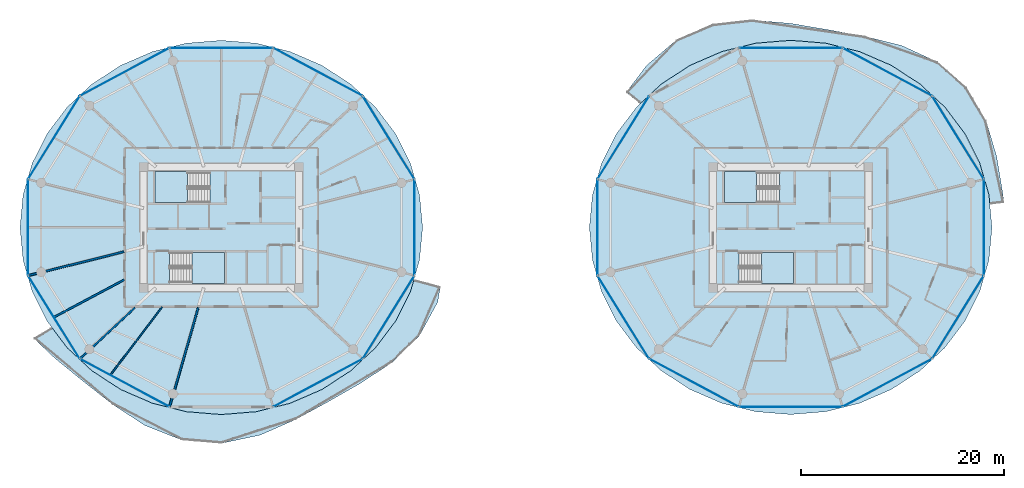
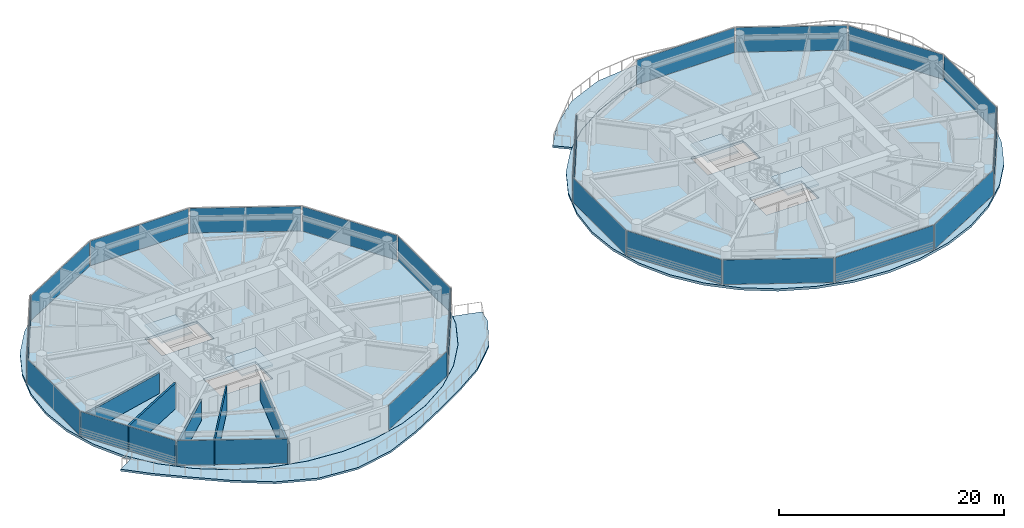
# One storey, part 14 of 26: 22 plates, 8 slabs, 5 walls, 26 elements without a shape of their own.
"""IFC4 building model written with IfcOpenShell, lengths in metres."""

from ifc_helpers import new_model, si_unit, direction, frame, frame_2d, origin, origin_2d, place, context, subcontext, project, spatial, polyline, rectangle, outline, extrude, source, transform, mapped, material, layer, layer_set, type_object, type_shapes, element, aggregate, save


model = new_model("IFC4")

# Units and contexts
model_context = context("Model", 3, precision=1e-05, world=origin(), true_north=direction((0.0, 1.0)))
body_context = subcontext(model_context, "Body", "Model", "MODEL_VIEW")
ifc_project = project(units=[si_unit("LENGTHUNIT", "METRE"), si_unit("AREAUNIT", "SQUARE_METRE"), si_unit("VOLUMEUNIT", "CUBIC_METRE"), si_unit("PLANEANGLEUNIT", "RADIAN"), si_unit("MASSUNIT", "GRAM", prefix="KILO")], contexts=[model_context])

# Site, building, storey
site_placement = place(None, origin())
site = spatial("IfcSite", under=ifc_project, at=site_placement, CompositionType="ELEMENT")
building_placement = place(site_placement, origin())
building = spatial("IfcBuilding", under=site, at=building_placement, Name="Norrkilde Senior Care Towers", CompositionType="ELEMENT")
storey_placement = place(building_placement, frame((0.0, 0.0, 49.050048828125)))
storey = spatial("IfcBuildingStorey", under=building, at=storey_placement, Name="L14", CompositionType="ELEMENT", Elevation=49.050048828125)

# Slabs
ifc_material_1 = material(Name="Concrete C50/60", Category="concrete")
ifc_layer_1 = layer(ifc_material_1, 0.215087890625)
ifc_layer_set_1 = layer_set([ifc_layer_1], Name="Concrete C50/60")
slab_type_1 = type_object("IfcSlabType", Name="Sinusoidal Balcony Ribbon Slab 215", PredefinedType="FLOOR", material=ifc_layer_set_1)
slab_1_placement = place(storey_placement, frame((0.0, 0.0, -0.215087890625)))
element("IfcSlab", 1, at=slab_1_placement, inside=storey, type_object=slab_type_1, Name="L14 Drum W Swirling Senior Balcony 1", PredefinedType="FLOOR", context=body_context, shape_type="SweptSolid", body=[
    extrude(outline(polyline([(-8.51513671875, -10.65234375), (-11.215087890625, -13.28759765625), (-14.308837890625, -15.331298828125), (-17.459716796875, -17.128173828125), (-20.68603515625, -18.892822265625), (-24.18359375, -20.42822265625), (-28.0, -21.23291015625), (-31.89453125, -20.90478515625), (-35.512939453125, -19.48095703125), (-38.689208984375, -17.406005859375), (-41.55859375, -15.161376953125), (-44.34521484375, -12.890625), (-46.4501953125, -10.9033203125), (-44.6650390625, -9.848388671875), (-43.171630859375, -11.83056640625), (-40.73046875, -14.09912109375), (-37.902587890625, -15.939208984375), (-34.773681640625, -17.294921875), (-31.439208984375, -18.12548828125), (-28.0, -18.405029296875), (-24.560791015625, -18.12548828125), (-21.226318359375, -17.294921875), (-18.097412109375, -15.939208984375), (-15.26953125, -14.09912109375), (-12.828369140625, -11.83056640625), (-10.848388671875, -9.202392578125), (-9.389404296875, -6.294921875), (-9.0556640625, -5.137451171875), (-6.45654296875, -5.84228515625), (-6.71533203125, -7.34228515625), (-8.51513671875, -10.65234375)])), origin(), (0.0, 0.0, 1.0), 0.215087890625),
])
slab_2_placement = place(storey_placement, frame((0.0, 0.0, -0.215087890625)))
element("IfcSlab", 2, at=slab_2_placement, inside=storey, type_object=slab_type_1, Name="L14 Drum E Swirling Senior Balcony 1", PredefinedType="FLOOR", context=body_context, shape_type="SweptSolid", body=[
    extrude(outline(polyline([(16.7607421875, 18.43115234375), (20.323974609375, 19.963134765625), (24.187744140625, 20.402587890625), (28.0, 20.069580078125), (31.65673828125, 19.45458984375), (35.2802734375, 18.79345703125), (38.94287109375, 17.878662109375), (42.428955078125, 16.277587890625), (45.2978515625, 13.750732421875), (47.219970703125, 10.48779296875), (48.268310546875, 6.9443359375), (48.84814453125, 3.451171875), (48.98046875, 2.436279296875), (47.5908203125, 2.27490234375), (47.504150390625, 3.196044921875), (46.610595703125, 6.294921875), (45.151611328125, 9.202392578125), (43.171630859375, 11.83056640625), (40.73046875, 14.09912109375), (37.902587890625, 15.939208984375), (34.773681640625, 17.294921875), (31.439208984375, 18.12548828125), (28.0, 18.405029296875), (24.560791015625, 18.12548828125), (21.226318359375, 17.294921875), (18.097412109375, 15.939208984375), (15.26953125, 14.09912109375), (13.195068359375, 12.17138671875), (11.829345703125, 13.294189453125), (13.834716796875, 15.939453125), (16.7607421875, 18.43115234375)])), origin(), (0.0, 0.0, 1.0), 0.215087890625),
])

# Stair, slab
ifc_material_2 = material(Name="Concrete C45/55", Category="concrete")
stair_type = type_object("IfcStairType", Name="Core Protected Dogleg Stair Typical 3050", PredefinedType="HALF_TURN_STAIR", material=ifc_material_2)
stair_1_placement = place(storey_placement, origin())
stair_1 = element("IfcStair", 3, at=stair_1_placement, inside=storey, type_object=stair_type, Name="L14 Protected Core Stair W1", PredefinedType="HALF_TURN_STAIR")
ifc_layer_2 = layer(ifc_material_2, 0.199951171875)
ifc_layer_set_2 = layer_set([ifc_layer_2], Name="Concrete C45/55")
slab_type_2 = type_object("IfcSlabType", Name="Stair Landing Slab 200", PredefinedType="LANDING", material=ifc_layer_set_2)
slab_3_placement = place(storey_placement, frame((0.0, 0.0, 1.324951171875)))
slab_3 = element("IfcSlab", 4, at=slab_3_placement, type_object=slab_type_2, Name="ST-W1 landing 1", PredefinedType="LANDING", context=body_context, shape_type="SweptSolid", body=[
    extrude(outline(polyline([(-31.340087890625, 5.52490234375), (-34.5, 5.52490234375), (-34.5, 2.449951171875), (-31.340087890625, 2.449951171875), (-31.340087890625, 5.52490234375)])), origin(), (0.0, 0.0, 1.0), 0.199951171875),
])
aggregate(stair_1, [slab_3])

stair_2_placement = place(storey_placement, origin())
stair_2 = element("IfcStair", 5, at=stair_2_placement, inside=storey, type_object=stair_type, Name="L14 Protected Core Stair W2", PredefinedType="HALF_TURN_STAIR")
slab_4_placement = place(storey_placement, frame((0.0, 0.0, 1.324951171875)))
slab_4 = element("IfcSlab", 6, at=slab_4_placement, type_object=slab_type_2, Name="ST-W2 landing 1", PredefinedType="LANDING", context=body_context, shape_type="SweptSolid", body=[
    extrude(outline(polyline([(-30.860107421875, -5.52490234375), (-27.699951171875, -5.52490234375), (-27.699951171875, -2.449951171875), (-30.860107421875, -2.449951171875), (-30.860107421875, -5.52490234375)])), origin(), (0.0, 0.0, 1.0), 0.199951171875),
])
aggregate(stair_2, [slab_4])

stair_3_placement = place(storey_placement, origin())
stair_3 = element("IfcStair", 7, at=stair_3_placement, inside=storey, type_object=stair_type, Name="L14 Protected Core Stair E1", PredefinedType="HALF_TURN_STAIR")
slab_5_placement = place(storey_placement, frame((0.0, 0.0, 1.324951171875)))
slab_5 = element("IfcSlab", 8, at=slab_5_placement, type_object=slab_type_2, Name="ST-E1 landing 1", PredefinedType="LANDING", context=body_context, shape_type="SweptSolid", body=[
    extrude(outline(polyline([(24.659912109375, 5.52490234375), (21.5, 5.52490234375), (21.5, 2.449951171875), (24.659912109375, 2.449951171875), (24.659912109375, 5.52490234375)])), origin(), (0.0, 0.0, 1.0), 0.199951171875),
])
aggregate(stair_3, [slab_5])

stair_4_placement = place(storey_placement, origin())
stair_4 = element("IfcStair", 9, at=stair_4_placement, inside=storey, type_object=stair_type, Name="L14 Protected Core Stair E2", PredefinedType="HALF_TURN_STAIR")
slab_6_placement = place(storey_placement, frame((0.0, 0.0, 1.324951171875)))
slab_6 = element("IfcSlab", 10, at=slab_6_placement, type_object=slab_type_2, Name="ST-E2 landing 1", PredefinedType="LANDING", context=body_context, shape_type="SweptSolid", body=[
    extrude(outline(polyline([(25.139892578125, -5.52490234375), (28.300048828125, -5.52490234375), (28.300048828125, -2.449951171875), (25.139892578125, -2.449951171875), (25.139892578125, -5.52490234375)])), origin(), (0.0, 0.0, 1.0), 0.199951171875),
])
aggregate(stair_4, [slab_6])

# Slabs
ifc_layer_3 = layer(ifc_material_1, 0.260009765625)
ifc_layer_set_3 = layer_set([ifc_layer_3], Name="Concrete C50/60")
slab_type_3 = type_object("IfcSlabType", Name="Tower Care Floor Slab 260", PredefinedType="FLOOR", material=ifc_layer_set_3)
slab_7_placement = place(storey_placement, frame((0.0, 0.0, -0.260009765625)))
element("IfcSlab", 11, at=slab_7_placement, inside=storey, type_object=slab_type_3, Name="L14 Drum W Structural Floor Slab", PredefinedType="FLOOR", context=body_context, shape_type="SweptSolid", body=[
    extrude(outline(polyline([(-9.39404296875, -6.293212890625), (-10.852783203125, -9.199951171875), (-12.832275390625, -11.827392578125), (-15.272705078125, -14.09521484375), (-18.10009765625, -15.934814453125), (-21.22802734375, -17.290283203125), (-24.561767578125, -18.120361328125), (-28.0, -18.39990234375), (-31.438232421875, -18.120361328125), (-34.77197265625, -17.290283203125), (-37.89990234375, -15.934814453125), (-40.727294921875, -14.09521484375), (-43.167724609375, -11.827392578125), (-45.147216796875, -9.199951171875), (-46.60595703125, -6.293212890625), (-47.499267578125, -3.195068359375), (-47.800048828125, 0.0), (-47.499267578125, 3.195068359375), (-46.60595703125, 6.293212890625), (-45.147216796875, 9.199951171875), (-43.167724609375, 11.827392578125), (-40.727294921875, 14.09521484375), (-37.89990234375, 15.934814453125), (-34.77197265625, 17.290283203125), (-31.438232421875, 18.120361328125), (-28.0, 18.39990234375), (-24.561767578125, 18.120361328125), (-21.22802734375, 17.290283203125), (-18.10009765625, 15.934814453125), (-15.272705078125, 14.09521484375), (-12.832275390625, 11.827392578125), (-10.852783203125, 9.199951171875), (-9.39404296875, 6.293212890625), (-8.500732421875, 3.195068359375), (-8.199951171875, 0.0), (-8.500732421875, -3.195068359375), (-9.39404296875, -6.293212890625)]), holes=[polyline([(-34.48193359375, 2.468017578125), (-29.117919921875, 2.468017578125), (-29.117919921875, 5.52490234375), (-34.48193359375, 5.52490234375), (-34.48193359375, 2.468017578125)]), polyline([(-27.718017578125, -5.52490234375), (-27.718017578125, -2.468017578125), (-33.08203125, -2.468017578125), (-33.08203125, -5.52490234375), (-27.718017578125, -5.52490234375)])]), origin(), (0.0, 0.0, 1.0), 0.260009765625),
])
slab_8_placement = place(storey_placement, frame((0.0, 0.0, -0.260009765625)))
element("IfcSlab", 12, at=slab_8_placement, inside=storey, type_object=slab_type_3, Name="L14 Drum E Structural Floor Slab", PredefinedType="FLOOR", context=body_context, shape_type="SweptSolid", body=[
    extrude(outline(polyline([(46.60595703125, -6.293212890625), (45.147216796875, -9.199951171875), (43.167724609375, -11.827392578125), (40.727294921875, -14.09521484375), (37.89990234375, -15.934814453125), (34.77197265625, -17.290283203125), (31.438232421875, -18.120361328125), (28.0, -18.39990234375), (24.561767578125, -18.120361328125), (21.22802734375, -17.290283203125), (18.10009765625, -15.934814453125), (15.272705078125, -14.09521484375), (12.832275390625, -11.827392578125), (10.852783203125, -9.199951171875), (9.39404296875, -6.293212890625), (8.500732421875, -3.195068359375), (8.199951171875, 0.0), (8.500732421875, 3.195068359375), (9.39404296875, 6.293212890625), (10.852783203125, 9.199951171875), (12.832275390625, 11.827392578125), (15.272705078125, 14.09521484375), (18.10009765625, 15.934814453125), (21.22802734375, 17.290283203125), (24.561767578125, 18.120361328125), (28.0, 18.39990234375), (31.438232421875, 18.120361328125), (34.77197265625, 17.290283203125), (37.89990234375, 15.934814453125), (40.727294921875, 14.09521484375), (43.167724609375, 11.827392578125), (45.147216796875, 9.199951171875), (46.60595703125, 6.293212890625), (47.499267578125, 3.195068359375), (47.800048828125, 0.0), (47.499267578125, -3.195068359375), (46.60595703125, -6.293212890625)]), holes=[polyline([(21.51806640625, 2.468017578125), (26.882080078125, 2.468017578125), (26.882080078125, 5.52490234375), (21.51806640625, 5.52490234375), (21.51806640625, 2.468017578125)]), polyline([(28.281982421875, -5.52490234375), (28.281982421875, -2.468017578125), (22.91796875, -2.468017578125), (22.91796875, -5.52490234375), (28.281982421875, -5.52490234375)])]), origin(), (0.0, 0.0, 1.0), 0.260009765625),
])

# Curtain wall, plate
ifc_material_3 = material(Name="Triple Low-E Insulated Glazing", Category="glass")
ifc_layer_4 = layer(ifc_material_3, 0.199951171875)
ifc_layer_set_4 = layer_set([ifc_layer_4], Name="Triple Low-E Insulated Glazing")
curtain_wall_type = type_object("IfcCurtainWallType", Name="CW2 Zone 1 Memory Care Curtain Wall", PredefinedType="NOTDEFINED", material=ifc_layer_set_4)
curtain_wall_1_placement = place(storey_placement, origin())
curtain_wall_1 = element("IfcCurtainWall", 13, at=curtain_wall_1_placement, inside=storey, type_object=curtain_wall_type, Name="L14 Drum W Curtain Wall 00", PredefinedType="NOTDEFINED")
ifc_layer_5 = layer(ifc_material_3, 0.035888671875)
ifc_layer_set_5 = layer_set([ifc_layer_5], Name="Triple Low-E Insulated Glazing")
plate_type = type_object("IfcPlateType", Name="Triple Low-E Vision Curtain Panel 36", PredefinedType="CURTAIN_PANEL", material=ifc_layer_set_5)
shared_shape_1 = source(origin(), body_context, "Body", "SweptSolid", [
    extrude(rectangle(XDim=9.518798828125, YDim=0.035888671875, at=origin_2d()), origin(), (0.0, 0.0, 1.0), 2.669921875),
])
plate_1_placement = place(storey_placement, frame((-11.537353515625, 8.82861328125, 0.06005859375), z_axis=(0.0, 0.0, 1.0), x_axis=(0.527900951871, -0.849305943117, 0.0)))
plate_1 = element("IfcPlate", 14, at=plate_1_placement, type_object=plate_type, Name="CW-2 panel 1.1", PredefinedType="CURTAIN_PANEL", context=body_context, shape_type="MappedRepresentation", body=[
    mapped(shared_shape_1, transform((0.0, 0.0, 0.0), x_axis=(1.0, 0.0, 0.0), y_axis=(0.0, 1.0, 0.0), z_axis=(0.0, 0.0, 1.0), scale=1.0)),
])
aggregate(curtain_wall_1, [plate_1])

curtain_wall_2_placement = place(storey_placement, origin())
curtain_wall_2 = element("IfcCurtainWall", 15, at=curtain_wall_2_placement, inside=storey, type_object=curtain_wall_type, Name="L14 Drum W Curtain Wall 04", PredefinedType="NOTDEFINED")
plate_2_placement = place(storey_placement, frame((-44.462646484375, 8.82861328125, 0.06005859375), z_axis=(0.0, 0.0, 1.0), x_axis=(0.527900951871, 0.849305943117, 0.0)))
plate_2 = element("IfcPlate", 16, at=plate_2_placement, type_object=plate_type, Name="CW-2 panel 1.1", PredefinedType="CURTAIN_PANEL", context=body_context, shape_type="MappedRepresentation", body=[
    mapped(shared_shape_1, transform((0.0, 0.0, 0.0), x_axis=(1.0, 0.0, 0.0), y_axis=(0.0, 1.0, 0.0), z_axis=(0.0, 0.0, 1.0), scale=1.0)),
])
aggregate(curtain_wall_2, [plate_2])

curtain_wall_3_placement = place(storey_placement, origin())
curtain_wall_3 = element("IfcCurtainWall", 17, at=curtain_wall_3_placement, inside=storey, type_object=curtain_wall_type, Name="L14 Drum W Curtain Wall 06", PredefinedType="NOTDEFINED")
plate_3_placement = place(storey_placement, frame((-44.462646484375, -8.82861328125, 0.06005859375), z_axis=(0.0, 0.0, 1.0), x_axis=(-0.527900951871, 0.849305943117, 0.0)))
plate_3 = element("IfcPlate", 18, at=plate_3_placement, type_object=plate_type, Name="CW-2 panel 1.1", PredefinedType="CURTAIN_PANEL", context=body_context, shape_type="MappedRepresentation", body=[
    mapped(shared_shape_1, transform((0.0, 0.0, 0.0), x_axis=(1.0, 0.0, 0.0), y_axis=(0.0, 1.0, 0.0), z_axis=(0.0, 0.0, 1.0), scale=1.0)),
])
aggregate(curtain_wall_3, [plate_3])

curtain_wall_4_placement = place(storey_placement, origin())
curtain_wall_4 = element("IfcCurtainWall", 19, at=curtain_wall_4_placement, inside=storey, type_object=curtain_wall_type, Name="L14 Drum W Curtain Wall 10", PredefinedType="NOTDEFINED")
plate_4_placement = place(storey_placement, frame((-11.537353515625, -8.82861328125, 0.06005859375), z_axis=(0.0, 0.0, 1.0), x_axis=(-0.527900951871, -0.849305943117, 0.0)))
plate_4 = element("IfcPlate", 20, at=plate_4_placement, type_object=plate_type, Name="CW-2 panel 1.1", PredefinedType="CURTAIN_PANEL", context=body_context, shape_type="MappedRepresentation", body=[
    mapped(shared_shape_1, transform((0.0, 0.0, 0.0), x_axis=(1.0, 0.0, 0.0), y_axis=(0.0, 1.0, 0.0), z_axis=(0.0, 0.0, 1.0), scale=1.0)),
])
aggregate(curtain_wall_4, [plate_4])

curtain_wall_5_placement = place(storey_placement, origin())
curtain_wall_5 = element("IfcCurtainWall", 21, at=curtain_wall_5_placement, inside=storey, type_object=curtain_wall_type, Name="L14 Drum E Curtain Wall 00", PredefinedType="NOTDEFINED")
plate_5_placement = place(storey_placement, frame((44.462646484375, 8.82861328125, 0.06005859375), z_axis=(0.0, 0.0, 1.0), x_axis=(0.527900951871, -0.849305943117, 0.0)))
plate_5 = element("IfcPlate", 22, at=plate_5_placement, type_object=plate_type, Name="CW-2 panel 1.1", PredefinedType="CURTAIN_PANEL", context=body_context, shape_type="MappedRepresentation", body=[
    mapped(shared_shape_1, transform((0.0, 0.0, 0.0), x_axis=(1.0, 0.0, 0.0), y_axis=(0.0, 1.0, 0.0), z_axis=(0.0, 0.0, 1.0), scale=1.0)),
])
aggregate(curtain_wall_5, [plate_5])

curtain_wall_6_placement = place(storey_placement, origin())
curtain_wall_6 = element("IfcCurtainWall", 23, at=curtain_wall_6_placement, inside=storey, type_object=curtain_wall_type, Name="L14 Drum E Curtain Wall 04", PredefinedType="NOTDEFINED")
plate_6_placement = place(storey_placement, frame((11.537353515625, 8.82861328125, 0.06005859375), z_axis=(0.0, 0.0, 1.0), x_axis=(0.527900951871, 0.849305943117, 0.0)))
plate_6 = element("IfcPlate", 24, at=plate_6_placement, type_object=plate_type, Name="CW-2 panel 1.1", PredefinedType="CURTAIN_PANEL", context=body_context, shape_type="MappedRepresentation", body=[
    mapped(shared_shape_1, transform((0.0, 0.0, 0.0), x_axis=(1.0, 0.0, 0.0), y_axis=(0.0, 1.0, 0.0), z_axis=(0.0, 0.0, 1.0), scale=1.0)),
])
aggregate(curtain_wall_6, [plate_6])

curtain_wall_7_placement = place(storey_placement, origin())
curtain_wall_7 = element("IfcCurtainWall", 25, at=curtain_wall_7_placement, inside=storey, type_object=curtain_wall_type, Name="L14 Drum E Curtain Wall 06", PredefinedType="NOTDEFINED")
plate_7_placement = place(storey_placement, frame((11.537353515625, -8.82861328125, 0.06005859375), z_axis=(0.0, 0.0, 1.0), x_axis=(-0.527900951871, 0.849305943117, 0.0)))
plate_7 = element("IfcPlate", 26, at=plate_7_placement, type_object=plate_type, Name="CW-2 panel 1.1", PredefinedType="CURTAIN_PANEL", context=body_context, shape_type="MappedRepresentation", body=[
    mapped(shared_shape_1, transform((0.0, 0.0, 0.0), x_axis=(1.0, 0.0, 0.0), y_axis=(0.0, 1.0, 0.0), z_axis=(0.0, 0.0, 1.0), scale=1.0)),
])
aggregate(curtain_wall_7, [plate_7])

curtain_wall_8_placement = place(storey_placement, origin())
curtain_wall_8 = element("IfcCurtainWall", 27, at=curtain_wall_8_placement, inside=storey, type_object=curtain_wall_type, Name="L14 Drum E Curtain Wall 10", PredefinedType="NOTDEFINED")
plate_8_placement = place(storey_placement, frame((44.462646484375, -8.82861328125, 0.06005859375), z_axis=(0.0, 0.0, 1.0), x_axis=(-0.527900951871, -0.849305943117, 0.0)))
plate_8 = element("IfcPlate", 28, at=plate_8_placement, type_object=plate_type, Name="CW-2 panel 1.1", PredefinedType="CURTAIN_PANEL", context=body_context, shape_type="MappedRepresentation", body=[
    mapped(shared_shape_1, transform((0.0, 0.0, 0.0), x_axis=(1.0, 0.0, 0.0), y_axis=(0.0, 1.0, 0.0), z_axis=(0.0, 0.0, 1.0), scale=1.0)),
])
aggregate(curtain_wall_8, [plate_8])

curtain_wall_9_placement = place(storey_placement, origin())
curtain_wall_9 = element("IfcCurtainWall", 29, at=curtain_wall_9_placement, inside=storey, type_object=curtain_wall_type, Name="L14 Drum W Curtain Wall 01", PredefinedType="NOTDEFINED")
shared_shape_2 = source(origin(), body_context, "Body", "SweptSolid", [
    extrude(rectangle(XDim=9.880859375, YDim=0.035888671875, at=origin_2d()), origin(), (0.0, 0.0, 1.0), 2.669921875),
])
plate_9_placement = place(storey_placement, frame((-18.495361328125, 15.29150390625, 0.06005859375), z_axis=(0.0, 0.0, 1.0), x_axis=(0.881272866403, -0.472607802456, 0.0)))
plate_9 = element("IfcPlate", 30, at=plate_9_placement, type_object=plate_type, Name="CW-2 panel 1.1", PredefinedType="CURTAIN_PANEL", context=body_context, shape_type="MappedRepresentation", body=[
    mapped(shared_shape_2, transform((0.0, 0.0, 0.0), x_axis=(1.0, 0.0, 0.0), y_axis=(0.0, 1.0, 0.0), z_axis=(0.0, 0.0, 1.0), scale=1.0)),
])
aggregate(curtain_wall_9, [plate_9])

curtain_wall_10_placement = place(storey_placement, origin())
curtain_wall_10 = element("IfcCurtainWall", 31, at=curtain_wall_10_placement, inside=storey, type_object=curtain_wall_type, Name="L14 Drum W Curtain Wall 03", PredefinedType="NOTDEFINED")
plate_10_placement = place(storey_placement, frame((-37.504638671875, 15.29150390625, 0.06005859375), z_axis=(0.0, 0.0, 1.0), x_axis=(0.881272866403, 0.472607802456, 0.0)))
plate_10 = element("IfcPlate", 32, at=plate_10_placement, type_object=plate_type, Name="CW-2 panel 1.1", PredefinedType="CURTAIN_PANEL", context=body_context, shape_type="MappedRepresentation", body=[
    mapped(shared_shape_2, transform((0.0, 0.0, 0.0), x_axis=(1.0, 0.0, 0.0), y_axis=(0.0, 1.0, 0.0), z_axis=(0.0, 0.0, 1.0), scale=1.0)),
])
aggregate(curtain_wall_10, [plate_10])

curtain_wall_11_placement = place(storey_placement, origin())
curtain_wall_11 = element("IfcCurtainWall", 33, at=curtain_wall_11_placement, inside=storey, type_object=curtain_wall_type, Name="L14 Drum W Curtain Wall 07", PredefinedType="NOTDEFINED")
plate_11_placement = place(storey_placement, frame((-37.504638671875, -15.29150390625, 0.06005859375), z_axis=(0.0, 0.0, 1.0), x_axis=(-0.881272866403, 0.472607802456, 0.0)))
plate_11 = element("IfcPlate", 34, at=plate_11_placement, type_object=plate_type, Name="CW-2 panel 1.1", PredefinedType="CURTAIN_PANEL", context=body_context, shape_type="MappedRepresentation", body=[
    mapped(shared_shape_2, transform((0.0, 0.0, 0.0), x_axis=(1.0, 0.0, 0.0), y_axis=(0.0, 1.0, 0.0), z_axis=(0.0, 0.0, 1.0), scale=1.0)),
])
aggregate(curtain_wall_11, [plate_11])

curtain_wall_12_placement = place(storey_placement, origin())
curtain_wall_12 = element("IfcCurtainWall", 35, at=curtain_wall_12_placement, inside=storey, type_object=curtain_wall_type, Name="L14 Drum W Curtain Wall 09", PredefinedType="NOTDEFINED")
plate_12_placement = place(storey_placement, frame((-18.495361328125, -15.29150390625, 0.06005859375), z_axis=(0.0, 0.0, 1.0), x_axis=(-0.881272866403, -0.472607802456, 0.0)))
plate_12 = element("IfcPlate", 36, at=plate_12_placement, type_object=plate_type, Name="CW-2 panel 1.1", PredefinedType="CURTAIN_PANEL", context=body_context, shape_type="MappedRepresentation", body=[
    mapped(shared_shape_2, transform((0.0, 0.0, 0.0), x_axis=(1.0, 0.0, 0.0), y_axis=(0.0, 1.0, 0.0), z_axis=(0.0, 0.0, 1.0), scale=1.0)),
])
aggregate(curtain_wall_12, [plate_12])

curtain_wall_13_placement = place(storey_placement, origin())
curtain_wall_13 = element("IfcCurtainWall", 37, at=curtain_wall_13_placement, inside=storey, type_object=curtain_wall_type, Name="L14 Drum E Curtain Wall 01", PredefinedType="NOTDEFINED")
plate_13_placement = place(storey_placement, frame((37.504638671875, 15.29150390625, 0.06005859375), z_axis=(0.0, 0.0, 1.0), x_axis=(0.881272866403, -0.472607802456, 0.0)))
plate_13 = element("IfcPlate", 38, at=plate_13_placement, type_object=plate_type, Name="CW-2 panel 1.1", PredefinedType="CURTAIN_PANEL", context=body_context, shape_type="MappedRepresentation", body=[
    mapped(shared_shape_2, transform((0.0, 0.0, 0.0), x_axis=(1.0, 0.0, 0.0), y_axis=(0.0, 1.0, 0.0), z_axis=(0.0, 0.0, 1.0), scale=1.0)),
])
aggregate(curtain_wall_13, [plate_13])

curtain_wall_14_placement = place(storey_placement, origin())
curtain_wall_14 = element("IfcCurtainWall", 39, at=curtain_wall_14_placement, inside=storey, type_object=curtain_wall_type, Name="L14 Drum E Curtain Wall 07", PredefinedType="NOTDEFINED")
plate_14_placement = place(storey_placement, frame((18.495361328125, -15.29150390625, 0.06005859375), z_axis=(0.0, 0.0, 1.0), x_axis=(-0.881272866403, 0.472607802456, 0.0)))
plate_14 = element("IfcPlate", 40, at=plate_14_placement, type_object=plate_type, Name="CW-2 panel 1.1", PredefinedType="CURTAIN_PANEL", context=body_context, shape_type="MappedRepresentation", body=[
    mapped(shared_shape_2, transform((0.0, 0.0, 0.0), x_axis=(1.0, 0.0, 0.0), y_axis=(0.0, 1.0, 0.0), z_axis=(0.0, 0.0, 1.0), scale=1.0)),
])
aggregate(curtain_wall_14, [plate_14])

curtain_wall_15_placement = place(storey_placement, origin())
curtain_wall_15 = element("IfcCurtainWall", 41, at=curtain_wall_15_placement, inside=storey, type_object=curtain_wall_type, Name="L14 Drum E Curtain Wall 09", PredefinedType="NOTDEFINED")
plate_15_placement = place(storey_placement, frame((37.504638671875, -15.29150390625, 0.06005859375), z_axis=(0.0, 0.0, 1.0), x_axis=(-0.881272866403, -0.472607802456, 0.0)))
plate_15 = element("IfcPlate", 42, at=plate_15_placement, type_object=plate_type, Name="CW-2 panel 1.1", PredefinedType="CURTAIN_PANEL", context=body_context, shape_type="MappedRepresentation", body=[
    mapped(shared_shape_2, transform((0.0, 0.0, 0.0), x_axis=(1.0, 0.0, 0.0), y_axis=(0.0, 1.0, 0.0), z_axis=(0.0, 0.0, 1.0), scale=1.0)),
])
aggregate(curtain_wall_15, [plate_15])

curtain_wall_16_placement = place(storey_placement, origin())
curtain_wall_16 = element("IfcCurtainWall", 43, at=curtain_wall_16_placement, inside=storey, type_object=curtain_wall_type, Name="L14 Drum W Curtain Wall 05", PredefinedType="NOTDEFINED")
shared_shape_3 = source(origin(), body_context, "Body", "SweptSolid", [
    extrude(rectangle(XDim=9.33251953125, YDim=0.035888671875, at=origin_2d()), origin(), (0.0, 0.0, 1.0), 2.669921875),
])
plate_16_placement = place(storey_placement, frame((-47.009521484375, 0.0, 0.06005859375), z_axis=(0.0, 0.0, 1.0), x_axis=(0.0, 1.0, 0.0)))
plate_16 = element("IfcPlate", 44, at=plate_16_placement, type_object=plate_type, Name="CW-2 panel 1.1", PredefinedType="CURTAIN_PANEL", context=body_context, shape_type="MappedRepresentation", body=[
    mapped(shared_shape_3, transform((0.0, 0.0, 0.0), x_axis=(1.0, 0.0, 0.0), y_axis=(0.0, 1.0, 0.0), z_axis=(0.0, 0.0, 1.0), scale=1.0)),
])
aggregate(curtain_wall_16, [plate_16])

curtain_wall_17_placement = place(storey_placement, origin())
curtain_wall_17 = element("IfcCurtainWall", 45, at=curtain_wall_17_placement, inside=storey, type_object=curtain_wall_type, Name="L14 Drum W Curtain Wall 11", PredefinedType="NOTDEFINED")
plate_17_placement = place(storey_placement, frame((-8.990478515625, 0.0, 0.06005859375), z_axis=(0.0, 0.0, 1.0), x_axis=(0.0, -1.0, 0.0)))
plate_17 = element("IfcPlate", 46, at=plate_17_placement, type_object=plate_type, Name="CW-2 panel 1.1", PredefinedType="CURTAIN_PANEL", context=body_context, shape_type="MappedRepresentation", body=[
    mapped(shared_shape_3, transform((0.0, 0.0, 0.0), x_axis=(1.0, 0.0, 0.0), y_axis=(0.0, 1.0, 0.0), z_axis=(0.0, 0.0, 1.0), scale=1.0)),
])
aggregate(curtain_wall_17, [plate_17])

curtain_wall_18_placement = place(storey_placement, origin())
curtain_wall_18 = element("IfcCurtainWall", 47, at=curtain_wall_18_placement, inside=storey, type_object=curtain_wall_type, Name="L14 Drum E Curtain Wall 05", PredefinedType="NOTDEFINED")
plate_18_placement = place(storey_placement, frame((8.990478515625, 0.0, 0.06005859375), z_axis=(0.0, 0.0, 1.0), x_axis=(0.0, 1.0, 0.0)))
plate_18 = element("IfcPlate", 48, at=plate_18_placement, type_object=plate_type, Name="CW-2 panel 1.1", PredefinedType="CURTAIN_PANEL", context=body_context, shape_type="MappedRepresentation", body=[
    mapped(shared_shape_3, transform((0.0, 0.0, 0.0), x_axis=(1.0, 0.0, 0.0), y_axis=(0.0, 1.0, 0.0), z_axis=(0.0, 0.0, 1.0), scale=1.0)),
])
aggregate(curtain_wall_18, [plate_18])

curtain_wall_19_placement = place(storey_placement, origin())
curtain_wall_19 = element("IfcCurtainWall", 49, at=curtain_wall_19_placement, inside=storey, type_object=curtain_wall_type, Name="L14 Drum E Curtain Wall 11", PredefinedType="NOTDEFINED")
plate_19_placement = place(storey_placement, frame((47.009521484375, 0.0, 0.06005859375), z_axis=(0.0, 0.0, 1.0), x_axis=(0.0, -1.0, 0.0)))
plate_19 = element("IfcPlate", 50, at=plate_19_placement, type_object=plate_type, Name="CW-2 panel 1.1", PredefinedType="CURTAIN_PANEL", context=body_context, shape_type="MappedRepresentation", body=[
    mapped(shared_shape_3, transform((0.0, 0.0, 0.0), x_axis=(1.0, 0.0, 0.0), y_axis=(0.0, 1.0, 0.0), z_axis=(0.0, 0.0, 1.0), scale=1.0)),
])
aggregate(curtain_wall_19, [plate_19])

curtain_wall_20_placement = place(storey_placement, origin())
curtain_wall_20 = element("IfcCurtainWall", 51, at=curtain_wall_20_placement, inside=storey, type_object=curtain_wall_type, Name="L14 Drum W Curtain Wall 02", PredefinedType="NOTDEFINED")
shared_shape_4 = source(origin(), body_context, "Body", "SweptSolid", [
    extrude(rectangle(XDim=10.05712890625, YDim=0.035888671875, at=origin_2d()), origin(), (0.0, 0.0, 1.0), 2.669921875),
])
type_shapes(plate_type, [shared_shape_1, shared_shape_2, shared_shape_3, shared_shape_4])
plate_20_placement = place(storey_placement, frame((-28.0, 17.6572265625, 0.06005859375), z_axis=(0.0, 0.0, 1.0), x_axis=(1.0, 0.0, 0.0)))
plate_20 = element("IfcPlate", 52, at=plate_20_placement, type_object=plate_type, Name="CW-2 panel 1.1", PredefinedType="CURTAIN_PANEL", context=body_context, shape_type="MappedRepresentation", body=[
    mapped(shared_shape_4, transform((0.0, 0.0, 0.0), x_axis=(1.0, 0.0, 0.0), y_axis=(0.0, 1.0, 0.0), z_axis=(0.0, 0.0, 1.0), scale=1.0)),
])
aggregate(curtain_wall_20, [plate_20])

curtain_wall_21_placement = place(storey_placement, origin())
curtain_wall_21 = element("IfcCurtainWall", 53, at=curtain_wall_21_placement, inside=storey, type_object=curtain_wall_type, Name="L14 Drum E Curtain Wall 02", PredefinedType="NOTDEFINED")
plate_21_placement = place(storey_placement, frame((28.0, 17.6572265625, 0.06005859375), z_axis=(0.0, 0.0, 1.0), x_axis=(1.0, 0.0, 0.0)))
plate_21 = element("IfcPlate", 54, at=plate_21_placement, type_object=plate_type, Name="CW-2 panel 1.1", PredefinedType="CURTAIN_PANEL", context=body_context, shape_type="MappedRepresentation", body=[
    mapped(shared_shape_4, transform((0.0, 0.0, 0.0), x_axis=(1.0, 0.0, 0.0), y_axis=(0.0, 1.0, 0.0), z_axis=(0.0, 0.0, 1.0), scale=1.0)),
])
aggregate(curtain_wall_21, [plate_21])

curtain_wall_22_placement = place(storey_placement, origin())
curtain_wall_22 = element("IfcCurtainWall", 55, at=curtain_wall_22_placement, inside=storey, type_object=curtain_wall_type, Name="L14 Drum E Curtain Wall 08", PredefinedType="NOTDEFINED")
plate_22_placement = place(storey_placement, frame((28.0, -17.6572265625, 0.06005859375), z_axis=(0.0, 0.0, 1.0), x_axis=(-1.0, 0.0, 0.0)))
plate_22 = element("IfcPlate", 56, at=plate_22_placement, type_object=plate_type, Name="CW-2 panel 1.1", PredefinedType="CURTAIN_PANEL", context=body_context, shape_type="MappedRepresentation", body=[
    mapped(shared_shape_4, transform((0.0, 0.0, 0.0), x_axis=(1.0, 0.0, 0.0), y_axis=(0.0, 1.0, 0.0), z_axis=(0.0, 0.0, 1.0), scale=1.0)),
])
aggregate(curtain_wall_22, [plate_22])

# Walls
ifc_material_4 = material(Name="Gypsum Acoustic Board")
ifc_layer_6 = layer(ifc_material_4, 0.18994140625)
ifc_layer_set_6 = layer_set([ifc_layer_6], Name="Gypsum Acoustic Board")
wall_type_1 = type_object("IfcWallType", Name="Unit Demising Acoustic Wall 190", PredefinedType="PARTITIONING", material=ifc_layer_set_6)
shared_shape_5 = source(origin(), body_context, "Body", "SweptSolid", [
    extrude(rectangle(XDim=7.4345703125, YDim=0.18994140625, at=frame_2d((3.71728515625, 0.0))), origin(), (0.0, 0.0, 1.0), 2.224853515625),
])
wall_1_placement = place(storey_placement, frame((-36.48291015625, -7.8798828125, 0.0), z_axis=(0.0, 0.0, 1.0), x_axis=(-0.732651956848, -0.680603489652, 0.0)))
element("IfcWall", 57, at=wall_1_placement, inside=storey, type_object=wall_type_1, Name="WL-INT-L14-W-DEM-07-0", PredefinedType="PARTITIONING", context=body_context, shape_type="MappedRepresentation", body=[
    mapped(shared_shape_5, transform((0.0, 0.0, 0.0), x_axis=(1.0, 0.0, 0.0), y_axis=(0.0, 1.0, 0.0), z_axis=(0.0, 0.0, 1.0), scale=1.0)),
])
shared_shape_6 = source(origin(), body_context, "Body", "SweptSolid", [
    extrude(rectangle(XDim=10.196044921875, YDim=0.18994140625, at=frame_2d((5.09814453125, 0.0))), origin(), (0.0, 0.0, 1.0), 2.224853515625),
])
wall_2_placement = place(storey_placement, frame((-30.27294921875, -7.8798828125, 0.0), z_axis=(0.0, 0.0, 1.0), x_axis=(-0.277136420347, -0.960830580549, 0.0)))
element("IfcWall", 58, at=wall_2_placement, inside=storey, type_object=wall_type_1, Name="WL-INT-L14-W-DEM-08-0", PredefinedType="PARTITIONING", context=body_context, shape_type="MappedRepresentation", body=[
    mapped(shared_shape_6, transform((0.0, 0.0, 0.0), x_axis=(1.0, 0.0, 0.0), y_axis=(0.0, 1.0, 0.0), z_axis=(0.0, 0.0, 1.0), scale=1.0)),
])
shared_shape_7 = source(origin(), body_context, "Body", "SweptSolid", [
    extrude(rectangle(XDim=9.737060546875, YDim=0.18994140625, at=frame_2d((4.86865234375, 0.0))), origin(), (0.0, 0.0, 1.0), 2.224853515625),
])
wall_3_placement = place(storey_placement, frame((-37.580078125, -2.384521484375, 0.0), z_axis=(0.0, 0.0, 1.0), x_axis=(-0.970392716238, -0.241532557375, 0.0)))
element("IfcWall", 59, at=wall_3_placement, inside=storey, type_object=wall_type_1, Name="WL-INT-L14-W-DEM-06-0", PredefinedType="PARTITIONING", context=body_context, shape_type="MappedRepresentation", body=[
    mapped(shared_shape_7, transform((0.0, 0.0, 0.0), x_axis=(1.0, 0.0, 0.0), y_axis=(0.0, 1.0, 0.0), z_axis=(0.0, 0.0, 1.0), scale=1.0)),
])
shared_shape_8 = source(origin(), body_context, "Body", "SweptSolid", [
    extrude(rectangle(XDim=7.873291015625, YDim=0.18994140625, at=frame_2d((3.9365234375, 0.0))), origin(), (0.0, 0.0, 1.0), 2.77490234375),
])
type_shapes(wall_type_1, [shared_shape_5, shared_shape_6, shared_shape_7, shared_shape_8])
wall_4_placement = place(storey_placement, frame((-37.530029296875, -5.1376953125, 0.0), z_axis=(0.0, 0.0, 1.0), x_axis=(-0.882666052726, -0.470000680175, 0.0)))
element("IfcWall", 60, at=wall_4_placement, inside=storey, type_object=wall_type_1, Name="WL-INT-L14-W-MID-06", PredefinedType="PARTITIONING", context=body_context, shape_type="MappedRepresentation", body=[
    mapped(shared_shape_8, transform((0.0, 0.0, 0.0), x_axis=(1.0, 0.0, 0.0), y_axis=(0.0, 1.0, 0.0), z_axis=(0.0, 0.0, 1.0), scale=1.0)),
])
ifc_layer_7 = layer(ifc_material_4, 0.139892578125)
ifc_layer_set_7 = layer_set([ifc_layer_7], Name="Gypsum Acoustic Board")
wall_type_2 = type_object("IfcWallType", Name="En-suite Wet Room Wall 140", PredefinedType="PARTITIONING", material=ifc_layer_set_7)
shared_shape_9 = source(origin(), body_context, "Body", "SweptSolid", [
    extrude(rectangle(XDim=8.436279296875, YDim=0.139892578125, at=frame_2d((4.21826171875, 0.0))), origin(), (0.0, 0.0, 1.0), 2.77490234375),
])
type_shapes(wall_type_2, [shared_shape_9])
wall_5_placement = place(storey_placement, frame((-33.827880859375, -7.830078125, 0.0), z_axis=(0.0, 0.0, 1.0), x_axis=(-0.604486552388, -0.796615345058, 0.0)))
element("IfcWall", 61, at=wall_5_placement, inside=storey, type_object=wall_type_2, Name="WL-INT-L14-W-MID-07", PredefinedType="PARTITIONING", context=body_context, shape_type="MappedRepresentation", body=[
    mapped(shared_shape_9, transform((0.0, 0.0, 0.0), x_axis=(1.0, 0.0, 0.0), y_axis=(0.0, 1.0, 0.0), z_axis=(0.0, 0.0, 1.0), scale=1.0)),
])

save(model, "model.ifc")
